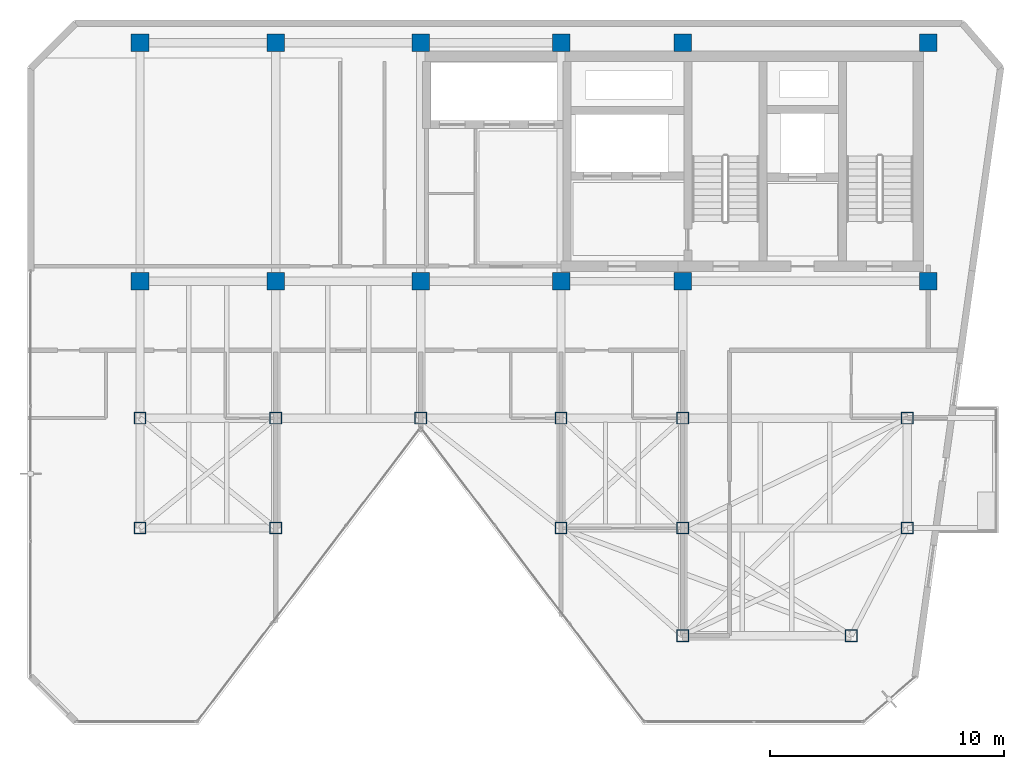
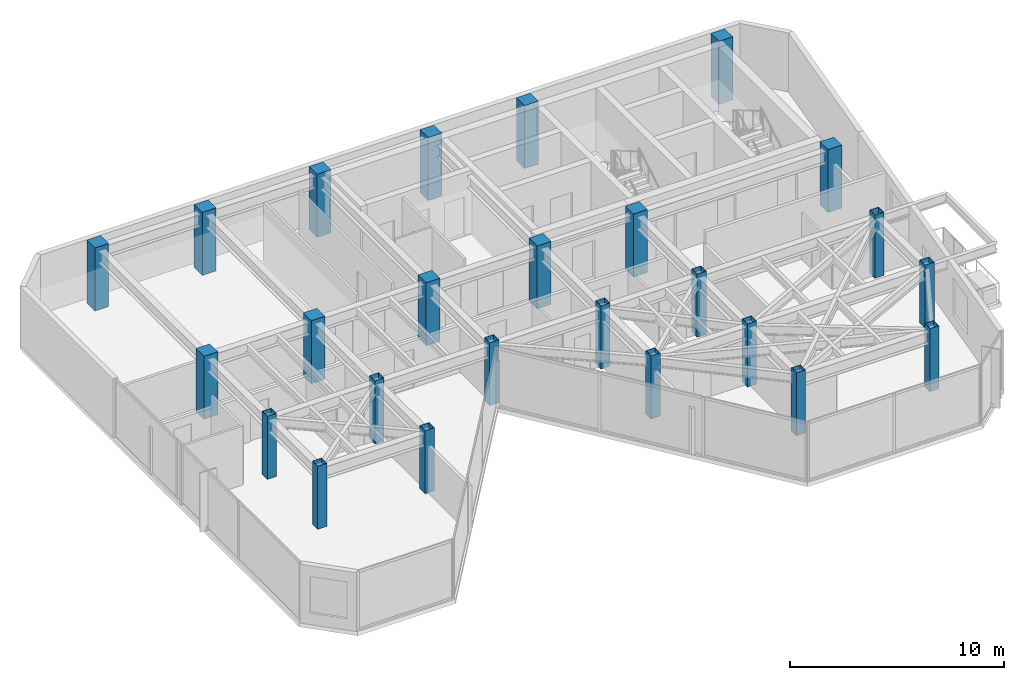
# One storey, part 1 of 19: 25 columns.
"""IFC4 building model written with IfcOpenShell, lengths in metres."""

from ifc_helpers import new_model, si_unit, direction, frame, origin, origin_2d, place, context, subcontext, project, spatial, rectangle, hollow_rectangle, extrude, material, material_profile, profile_set, type_object, element, save


model = new_model("IFC4")

# Units and contexts
model_context = context("Model", 3, precision=1e-05, world=origin(), true_north=direction((0.0, 1.0)))
body_context = subcontext(model_context, "Body", "Model", "MODEL_VIEW")
ifc_project = project(units=[si_unit("LENGTHUNIT", "METRE"), si_unit("AREAUNIT", "SQUARE_METRE"), si_unit("VOLUMEUNIT", "CUBIC_METRE"), si_unit("PLANEANGLEUNIT", "RADIAN"), si_unit("MASSUNIT", "GRAM", prefix="KILO")], contexts=[model_context])

# Site, building, storey
site_placement = place(None, origin())
site = spatial("IfcSite", under=ifc_project, at=site_placement, CompositionType="ELEMENT")
building_placement = place(site_placement, origin())
building = spatial("IfcBuilding", under=site, at=building_placement, Name="Kravanh Interchange Tower", CompositionType="ELEMENT")
storey_placement = place(building_placement, frame((0.0, 0.0, 267.0)))
storey = spatial("IfcBuildingStorey", under=building, at=storey_placement, Name="L65", CompositionType="ELEMENT", Elevation=267.0)

# Columns
ifc_material_1 = material(Name="Structural Steel S355", Category="steel")
ifc_material_profile_1 = material_profile(ifc_material_1, hollow_rectangle(XDim=0.5, YDim=0.5, WallThickness=0.02001953125, at=origin_2d()), Name="HSS500X500X20")
ifc_profile_set_1 = profile_set([ifc_material_profile_1], Name="Structural Steel S355")
column_type_1 = type_object("IfcColumnType", Name="Column HSS500X500X20 Structural Steel S355", PredefinedType="COLUMN", material=ifc_profile_set_1)
for number, where, z_axis, x_axis, name in (
    (1, (44.800048828125, 31.5, 0.0), (0.0, 0.0, 1.0), (1.0, 0.0, 0.0), "L65 Column CH_E1"),
    (2, (50.800048828125, 31.5, 0.0), (0.0, 0.0, 1.0), (1.0, 0.0, 0.0), "L65 Column CH_E2"),
    (3, (56.0, 31.5, 0.0), (0.0, 0.0, 1.0), (1.0, 0.0, 0.0), "L65 Column CH_E3"),
    (4, (65.60009765625, 31.5, 0.0), (0.0, 0.0, 1.0), (1.0, 0.0, 0.0), "L65 Column CH_E4"),
    (5, (38.60009765625, 31.5, 0.0), (0.0, 0.0, 1.0), (1.0, 0.0, 0.0), "L65 Column CH_E5"),
    (6, (32.800048828125, 31.5, 0.0), (0.0, 0.0, 1.0), (1.0, 0.0, 0.0), "L65 Column CH_E6"),
    (7, (38.60009765625, 26.800048828125, 0.0), (0.0, 0.0, 1.0), (1.0, 0.0, 0.0), "L65 Column CH_S1"),
    (8, (50.800048828125, 26.800048828125, 0.0), (0.0, 0.0, 1.0), (1.0, 0.0, 0.0), "L65 Column CH_S2"),
    (9, (56.0, 26.800048828125, 0.0), (0.0, 0.0, 1.0), (1.0, 0.0, 0.0), "L65 Column CH_S3"),
    (10, (65.60009765625, 26.800048828125, 0.0), (0.0, 0.0, 1.0), (1.0, 0.0, 0.0), "L65 Column CH_S4"),
    (11, (56.0, 22.199951171875, 0.0), (0.0, 0.0, 1.0), (1.0, 0.0, 0.0), "L65 Column CH_S5"),
    (12, (63.199951171875, 22.199951171875, 0.0), (0.0, 0.0, 1.0), (1.0, 0.0, 0.0), "L65 Column CH_S6"),
    (13, (32.800048828125, 26.800048828125, 0.0), (0.0, 0.0, 1.0), (1.0, 0.0, 0.0), "L65 Column CH_W3"),
):
    element("IfcColumn", number, at=place(storey_placement, frame(where, z_axis=z_axis, x_axis=x_axis)), inside=storey, type_object=column_type_1, Name=name, PredefinedType="COLUMN", context=body_context, shape_type="SweptSolid", body=[
        extrude(hollow_rectangle(XDim=0.5, YDim=0.5, WallThickness=0.02001953125, at=origin_2d()), origin(), (0.0, 0.0, 1.0), 3.60009765625),
    ])
ifc_material_2 = material(Name="Concrete C60/75", Category="concrete")
ifc_material_profile_2 = material_profile(ifc_material_2, rectangle(XDim=0.75, YDim=0.75, at=origin_2d()), Name="RC750X750")
ifc_profile_set_2 = profile_set([ifc_material_profile_2], Name="Concrete C60/75")
column_type_2 = type_object("IfcColumnType", Name="Column RC750X750 Concrete C60/75", PredefinedType="COLUMN", material=ifc_profile_set_2)
for number, where, z_axis, x_axis, name in (
    (14, (66.5, 47.550048828125, 0.0), (0.0, 0.0, 1.0), (1.0, 0.0, 0.0), "L65 Column CS01"),
    (15, (56.0, 47.550048828125, 0.0), (0.0, 0.0, 1.0), (1.0, 0.0, 0.0), "L65 Column CS02"),
    (16, (66.5, 37.35009765625, 0.0), (0.0, 0.0, 1.0), (1.0, 0.0, 0.0), "L65 Column CS03"),
    (17, (56.0, 37.35009765625, 0.0), (0.0, 0.0, 1.0), (1.0, 0.0, 0.0), "L65 Column CS04"),
    (18, (50.800048828125, 47.550048828125, 0.0), (0.0, 0.0, 1.0), (1.0, 0.0, 0.0), "L65 Column CS05"),
    (19, (50.800048828125, 37.35009765625, 0.0), (0.0, 0.0, 1.0), (1.0, 0.0, 0.0), "L65 Column CS06"),
    (20, (44.800048828125, 37.35009765625, 0.0), (0.0, 0.0, 1.0), (1.0, 0.0, 0.0), "L65 Column CS07"),
    (21, (44.800048828125, 47.550048828125, 0.0), (0.0, 0.0, 1.0), (1.0, 0.0, 0.0), "L65 Column CS08"),
    (22, (38.60009765625, 37.35009765625, 0.0), (0.0, 0.0, 1.0), (1.0, 0.0, 0.0), "L65 Column CS09"),
    (23, (38.60009765625, 47.550048828125, 0.0), (0.0, 0.0, 1.0), (1.0, 0.0, 0.0), "L65 Column CS10"),
    (24, (32.800048828125, 37.35009765625, 0.0), (0.0, 0.0, 1.0), (1.0, 0.0, 0.0), "L65 Column CS11"),
    (25, (32.800048828125, 47.550048828125, 0.0), (0.0, 0.0, 1.0), (1.0, 0.0, 0.0), "L65 Column CS12"),
):
    element("IfcColumn", number, at=place(storey_placement, frame(where, z_axis=z_axis, x_axis=x_axis)), inside=storey, type_object=column_type_2, Name=name, PredefinedType="COLUMN", context=body_context, shape_type="SweptSolid", body=[
        extrude(rectangle(XDim=0.75, YDim=0.75, at=origin_2d()), origin(), (0.0, 0.0, 1.0), 3.60009765625),
    ])

save(model, "model.ifc")
